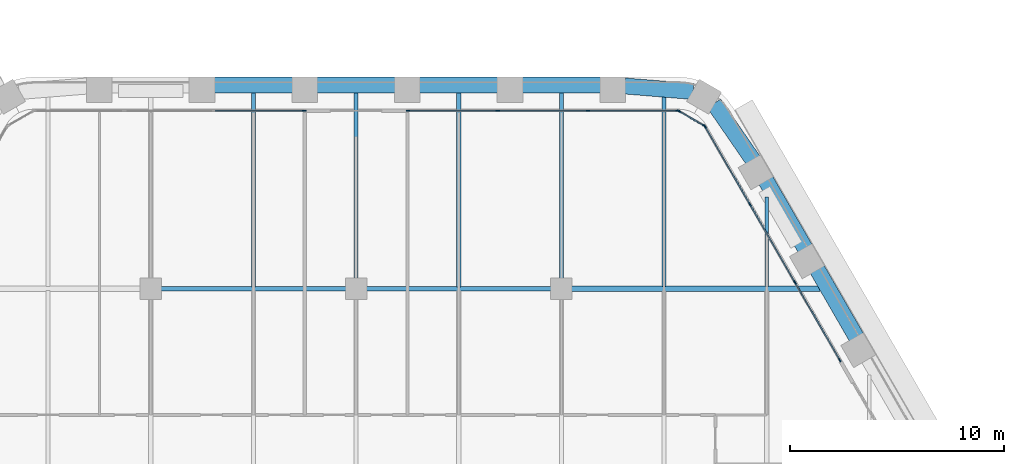
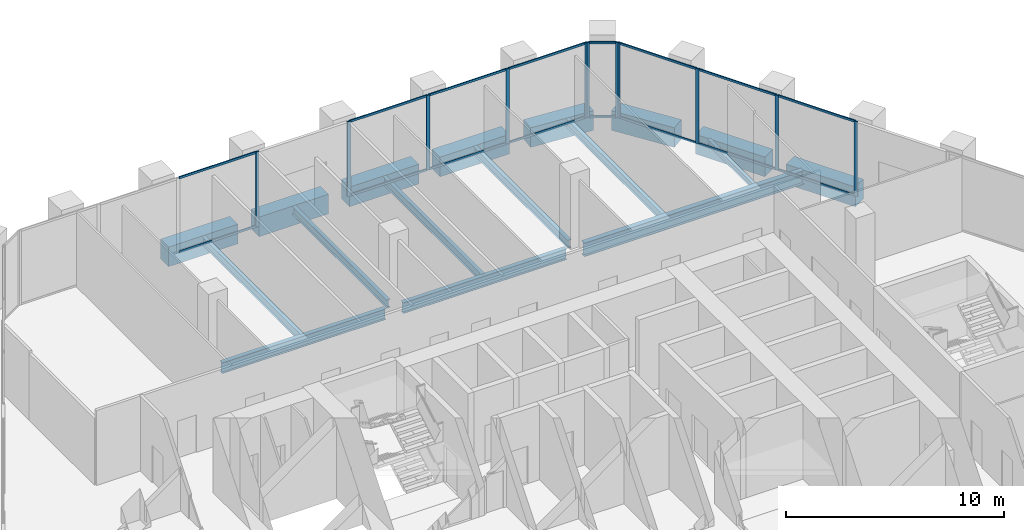
# One storey, part 10 of 27: 27 members, 17 beams, 4 elements without a shape of their own.
"""IFC4 building model written with IfcOpenShell, lengths in metres."""

import ifcopenshell
import ifcopenshell.guid

model = None  # the IFC model being written
_history = None  # IfcOwnerHistory: only IFC2X3 demands one
_inside = {}  # id of a spatial element -> (the spatial element, [elements in it])
_under = {}  # id of a project, library or spatial element -> (it, [spatial elements below it])
_declared = {}  # id of a project -> (the project, [libraries it declares])
_typed = {}  # id of a type object -> (the type object, [elements of that type])
_made_of = {}  # id of a material, layer set ... -> (it, [elements and type objects made of it])


def new_model(schema):
    """Start an empty IFC model of exactly this schema.

    Asked for "IFC4X3", IfcOpenShell would pick the latest addendum, in which some entities
    have other attributes; the version numbers below select the first issue.
    IFC2X3 requires an IfcOwnerHistory on every rooted entity: one is made here for all.
    """
    global model, _history
    if schema == "IFC4X3":
        model = ifcopenshell.file(schema_version=(4, 3, 0, 0))
    else:
        model = ifcopenshell.file(schema=schema)
    _inside.clear()
    _under.clear()
    _declared.clear()
    _typed.clear()
    _made_of.clear()
    _history = None
    if model.schema == "IFC2X3":
        org = make("IfcOrganization", Name="unknown")
        user = make(
            "IfcPersonAndOrganization",
            ThePerson=make("IfcPerson", FamilyName="unknown"),
            TheOrganization=org,
        )
        app = make(
            "IfcApplication",
            ApplicationDeveloper=org,
            Version="unknown",
            ApplicationFullName="unknown",
            ApplicationIdentifier="unknown",
        )
        _history = make(
            "IfcOwnerHistory",
            OwningUser=user,
            OwningApplication=app,
            ChangeAction="ADDED",
            CreationDate=0,
        )
    return model


def make(cls, **values):
    """One entity of the class cls with the attributes given. An attribute that is None is left unset."""
    return model.create_entity(
        cls, **{name: value for name, value in values.items() if value is not None}
    )


def rooted(cls, **values):
    """An entity with a GlobalId (a new one), such as an element, a storey or a relation."""
    return make(cls, GlobalId=ifcopenshell.guid.new(), OwnerHistory=_history, **values)


def si_unit(unit_type, name, prefix=None):
    """IfcSIUnit, for example si_unit("LENGTHUNIT", "METRE", prefix="MILLI")."""
    return make("IfcSIUnit", UnitType=unit_type, Prefix=prefix, Name=name)


def assignment(units):
    """IfcUnitAssignment: the units of a project."""
    return None if units is None else make("IfcUnitAssignment", Units=units)


def point(xyz):
    """IfcCartesianPoint."""
    return None if xyz is None else make("IfcCartesianPoint", Coordinates=xyz)


def direction(xyz):
    """IfcDirection."""
    return None if xyz is None else make("IfcDirection", DirectionRatios=xyz)


def frame(location, z_axis=None, x_axis=None):
    """IfcAxis2Placement3D, a coordinate frame: its origin and axes. An axis left out is left unset."""
    return make(
        "IfcAxis2Placement3D",
        Location=point(location),
        Axis=direction(z_axis),
        RefDirection=direction(x_axis),
    )


def frame_2d(location, x_axis=None):
    """IfcAxis2Placement2D, a coordinate frame in the plane: its origin and x axis."""
    return make(
        "IfcAxis2Placement2D", Location=point(location), RefDirection=direction(x_axis)
    )


def origin():
    """The frame at (0, 0, 0) with its axes left unset."""
    return frame((0.0, 0.0, 0.0))


def origin_2d():
    """The frame at (0, 0) in the plane with its x axis left unset."""
    return frame_2d((0.0, 0.0))


def place(relative_to, where):
    """IfcLocalPlacement: puts the frame where relative to a parent placement (None: the world)."""
    return make(
        "IfcLocalPlacement", PlacementRelTo=relative_to, RelativePlacement=where
    )


def context(
    kind, dimensions, precision=None, world=None, true_north=None, identifier=None
):
    """IfcGeometricRepresentationContext, for example the 3D "Model" context."""
    return make(
        "IfcGeometricRepresentationContext",
        ContextIdentifier=identifier,
        ContextType=kind,
        CoordinateSpaceDimension=dimensions,
        Precision=precision,
        WorldCoordinateSystem=world,
        TrueNorth=true_north,
    )


def subcontext(parent, identifier, kind, view, scale=None):
    """IfcGeometricRepresentationSubContext, for example "Body" below "Model"."""
    return make(
        "IfcGeometricRepresentationSubContext",
        ContextIdentifier=identifier,
        ContextType=kind,
        ParentContext=parent,
        TargetScale=scale,
        TargetView=view,
    )


def project(units=None, contexts=None):
    """IfcProject with its units and contexts."""
    return rooted(
        "IfcProject",
        Name="project",
        RepresentationContexts=contexts,
        UnitsInContext=assignment(units),
    )


def spatial(cls, under=None, at=None, **own):
    """A site, building, storey or space (cls), placed at a placement, below another one or the project."""
    s = rooted(cls, ObjectPlacement=at, **own)
    if under is not None:
        _under.setdefault(under.id(), (under, []))[1].append(s)
    return s


def profile(cls, at=None, kind="AREA", **sizes):
    """A parametric profile (cls). Its sizes go by their IFC names, for example OverallWidth=200.0."""
    return make(cls, ProfileType=kind, Position=at, **sizes)


def rectangle(**sizes):
    """IfcRectangleProfileDef."""
    return profile("IfcRectangleProfileDef", **sizes)


def i_section(**sizes):
    """IfcIShapeProfileDef."""
    return profile("IfcIShapeProfileDef", **sizes)


def extrude(swept, where, along, depth):
    """IfcExtrudedAreaSolid: the profile swept, set in the frame where, extruded along a direction by depth."""
    return make(
        "IfcExtrudedAreaSolid",
        SweptArea=swept,
        Position=where,
        ExtrudedDirection=direction(along),
        Depth=depth,
    )


def shape(context_of_items, identifier, shape_type, items):
    """IfcShapeRepresentation: the items that make up one representation, for example the "Body"."""
    return make(
        "IfcShapeRepresentation",
        ContextOfItems=context_of_items,
        RepresentationIdentifier=identifier,
        RepresentationType=shape_type,
        Items=items,
    )


def material(Name=None, Category=None):
    """IfcMaterial."""
    return make("IfcMaterial", Name=Name, Category=Category)


def material_profile(
    of_material, cross_section, Name=None, Category=None, Priority=None
):
    """IfcMaterialProfile: a cross section and its material."""
    return make(
        "IfcMaterialProfile",
        Name=Name,
        Material=of_material,
        Profile=cross_section,
        Priority=Priority,
        Category=Category,
    )


def profile_set(profiles, Name=None, composite=None):
    """IfcMaterialProfileSet."""
    return make(
        "IfcMaterialProfileSet",
        Name=Name,
        MaterialProfiles=profiles,
        CompositeProfile=composite,
    )


def made_of(thing, what):
    """Note that an element or type object is made of a material, layer set ...; save() writes the relation."""
    if what is not None:
        _made_of.setdefault(what.id(), (what, []))[1].append(thing)
    return thing


def type_object(cls, material=None, **own):
    """A type object (cls), such as IfcWallType, which elements share."""
    return made_of(rooted(cls, **own), material)


def element(
    cls,
    number,
    at=None,
    inside=None,
    cuts=None,
    type_object=None,
    material=None,
    context=None,
    identifier="Body",
    shape_type=None,
    held_by="IfcProductDefinitionShape",
    body=None,
    shapes=None,
    **own,
):
    """One element of the class cls, such as IfcWall. Its Tag is "e" and its number.

    at: its placement. inside: the storey or other place that contains it. cuts: it is an
    opening in that element (IfcRelVoidsElement). A single representation is given by context,
    identifier, shape_type and body (its items); several are given by shapes. held_by: the class
    of the entity that holds the representations. save() writes the other relations.
    """
    e = rooted(cls, Tag="e%d" % number, ObjectPlacement=at, **own)
    if body is not None:
        shapes = [shape(context, identifier, shape_type, body)]
    if shapes is not None:
        e.Representation = make(held_by, Representations=shapes)
    if inside is not None:
        _inside.setdefault(inside.id(), (inside, []))[1].append(e)
    if cuts is not None:
        rooted(
            "IfcRelVoidsElement", RelatingBuildingElement=cuts, RelatedOpeningElement=e
        )
    if type_object is not None:
        _typed.setdefault(type_object.id(), (type_object, []))[1].append(e)
    return made_of(e, material)


def aggregate(whole, parts):
    """IfcRelAggregates: a whole, such as a stair, and the parts it consists of."""
    return rooted("IfcRelAggregates", RelatingObject=whole, RelatedObjects=parts)


def save(model, path):
    """Write the relations noted so far, then the file.

    IfcRelAggregates (storeys below a building ...), IfcRelContainedInSpatialStructure (elements
    in a storey), IfcRelDefinesByType, IfcRelAssociatesMaterial and IfcRelDeclares: one each for
    every whole, place, type object, material and project.
    """
    for whole, parts in _under.values():
        aggregate(whole, parts)
    for where, things in _inside.values():
        rooted(
            "IfcRelContainedInSpatialStructure",
            RelatedElements=things,
            RelatingStructure=where,
        )
    for kind, things in _typed.values():
        rooted("IfcRelDefinesByType", RelatedObjects=things, RelatingType=kind)
    for what, things in _made_of.values():
        rooted("IfcRelAssociatesMaterial", RelatedObjects=things, RelatingMaterial=what)
    for by, libraries in _declared.values():
        rooted("IfcRelDeclares", RelatingContext=by, RelatedDefinitions=libraries)
    model.write(path)


model = new_model("IFC4")

# Units and contexts
model_context = context("Model", 3, precision=1e-05, world=origin(), true_north=direction((0.0, 1.0)))
body_context = subcontext(model_context, "Body", "Model", "MODEL_VIEW")
ifc_project = project(units=[si_unit("LENGTHUNIT", "METRE"), si_unit("AREAUNIT", "SQUARE_METRE"), si_unit("VOLUMEUNIT", "CUBIC_METRE"), si_unit("PLANEANGLEUNIT", "RADIAN"), si_unit("MASSUNIT", "GRAM", prefix="KILO")], contexts=[model_context])

# Site, building, storey
site_placement = place(None, origin())
site = spatial("IfcSite", under=ifc_project, at=site_placement, CompositionType="ELEMENT")
building_placement = place(site_placement, origin())
building = spatial("IfcBuilding", under=site, at=building_placement, Name="Kolab Exchange Tower", CompositionType="ELEMENT")
storey_placement = place(building_placement, frame((0.0, 0.0, 122.89990234375)))
storey = spatial("IfcBuildingStorey", under=building, at=storey_placement, Name="L24", CompositionType="ELEMENT", Elevation=122.89990234375)

# Beams
ifc_material_1 = material(Name="Steel S355", Category="steel")
ifc_material_profile_1 = material_profile(ifc_material_1, i_section(OverallWidth=0.1650390625, OverallDepth=0.31005859375, WebThickness=0.005859375, FlangeThickness=0.009765625, at=origin_2d()), Name="W310X39")
ifc_profile_set_1 = profile_set([ifc_material_profile_1], Name="Steel S355")
beam_type_1 = type_object("IfcBeamType", Name="FLOOR BEAM W310X39", PredefinedType="BEAM", material=ifc_profile_set_1)
beam_1_placement = place(storey_placement, frame((19.199951171875, 19.29345703125, -0.35498046875), z_axis=(0.0, 1.0, 0.0), x_axis=(-1.0, 0.0, 0.0)))
element("IfcBeam", 1, at=beam_1_placement, inside=storey, type_object=beam_type_1, Name="beam/L24/fr/045", PredefinedType="BEAM", context=body_context, shape_type="SweptSolid", body=[
    extrude(i_section(OverallWidth=0.1650390625, OverallDepth=0.31005859375, WebThickness=0.005859375, FlangeThickness=0.009765625, at=origin_2d()), origin(), (0.0, 0.0, 1.0), 4.18798828125),
])
ifc_material_profile_2 = material_profile(ifc_material_1, i_section(OverallWidth=0.18994140625, OverallDepth=0.45703125, WebThickness=0.009033203125, FlangeThickness=0.014404296875, at=origin_2d()), Name="W460X74")
ifc_profile_set_2 = profile_set([ifc_material_profile_2], Name="Steel S355")
beam_type_2 = type_object("IfcBeamType", Name="FLOOR BEAM W460X74", PredefinedType="BEAM", material=ifc_profile_set_2)
beam_2_placement = place(storey_placement, frame((-4.800048828125, 19.27392578125, -0.428466796875), z_axis=(0.0, 1.0, 0.0), x_axis=(-1.0, 0.0, 0.0)))
element("IfcBeam", 2, at=beam_2_placement, inside=storey, type_object=beam_type_2, Name="beam/L24/fr/023", PredefinedType="BEAM", context=body_context, shape_type="SweptSolid", body=[
    extrude(i_section(OverallWidth=0.18994140625, OverallDepth=0.45703125, WebThickness=0.009033203125, FlangeThickness=0.014404296875, at=origin_2d()), origin(), (0.0, 0.0, 1.0), 9.114501953125),
])
beam_3_placement = place(storey_placement, frame((0.0, 19.659912109375, -0.428466796875), z_axis=(0.0, 1.0, 0.0), x_axis=(-1.0, 0.0, 0.0)))
element("IfcBeam", 3, at=beam_3_placement, inside=storey, type_object=beam_type_2, Name="beam/L24/fr/027", PredefinedType="BEAM", context=body_context, shape_type="SweptSolid", body=[
    extrude(i_section(OverallWidth=0.18994140625, OverallDepth=0.45703125, WebThickness=0.009033203125, FlangeThickness=0.014404296875, at=origin_2d()), origin(), (0.0, 0.0, 1.0), 8.728515625),
])
beam_4_placement = place(storey_placement, frame((4.800048828125, 19.27392578125, -0.428466796875), z_axis=(0.0, 1.0, 0.0), x_axis=(-1.0, 0.0, 0.0)))
element("IfcBeam", 4, at=beam_4_placement, inside=storey, type_object=beam_type_2, Name="beam/L24/fr/031", PredefinedType="BEAM", context=body_context, shape_type="SweptSolid", body=[
    extrude(i_section(OverallWidth=0.18994140625, OverallDepth=0.45703125, WebThickness=0.009033203125, FlangeThickness=0.014404296875, at=origin_2d()), origin(), (0.0, 0.0, 1.0), 9.114501953125),
])
beam_5_placement = place(storey_placement, frame((9.60009765625, 19.659912109375, -0.428466796875), z_axis=(0.0, 1.0, 0.0), x_axis=(-1.0, 0.0, 0.0)))
element("IfcBeam", 5, at=beam_5_placement, inside=storey, type_object=beam_type_2, Name="beam/L24/fr/035", PredefinedType="BEAM", context=body_context, shape_type="SweptSolid", body=[
    extrude(i_section(OverallWidth=0.18994140625, OverallDepth=0.45703125, WebThickness=0.009033203125, FlangeThickness=0.014404296875, at=origin_2d()), origin(), (0.0, 0.0, 1.0), 8.728515625),
])
beam_6_placement = place(storey_placement, frame((14.39990234375, 19.29345703125, -0.428466796875), z_axis=(0.0, 1.0, 0.0), x_axis=(-1.0, 0.0, 0.0)))
element("IfcBeam", 6, at=beam_6_placement, inside=storey, type_object=beam_type_2, Name="beam/L24/fr/039", PredefinedType="BEAM", context=body_context, shape_type="SweptSolid", body=[
    extrude(i_section(OverallWidth=0.18994140625, OverallDepth=0.45703125, WebThickness=0.009033203125, FlangeThickness=0.014404296875, at=origin_2d()), origin(), (0.0, 0.0, 1.0), 8.901123046875),
])
ifc_material_profile_3 = material_profile(ifc_material_1, i_section(OverallWidth=0.22802734375, OverallDepth=0.60791015625, WebThickness=0.01123046875, FlangeThickness=0.017333984375, at=origin_2d()), Name="W610X113")
ifc_profile_set_3 = profile_set([ifc_material_profile_3], Name="Steel S355")
beam_type_3 = type_object("IfcBeamType", Name="FLOOR GIRDER W610X113", PredefinedType="BEAM", material=ifc_profile_set_3)
for number, where, z_axis, x_axis, name in (
    (7, (-9.139892578125, 19.199951171875, -0.50390625), (1.0, 0.0, 0.0), (0.0, 1.0, 0.0), "beam/L24/gd/009"),
    (8, (0.4599609375, 19.199951171875, -0.50390625), (1.0, 0.0, 0.0), (0.0, 1.0, 0.0), "beam/L24/gd/011"),
):
    element("IfcBeam", number, at=place(storey_placement, frame(where, z_axis=z_axis, x_axis=x_axis)), inside=storey, type_object=beam_type_3, Name=name, PredefinedType="BEAM", context=body_context, shape_type="SweptSolid", body=[
        extrude(i_section(OverallWidth=0.22802734375, OverallDepth=0.60791015625, WebThickness=0.01123046875, FlangeThickness=0.017333984375, at=origin_2d()), origin(), (0.0, 0.0, 1.0), 8.679931640625),
    ])
ifc_material_profile_4 = material_profile(ifc_material_1, i_section(OverallWidth=0.26708984375, OverallDepth=0.761962890625, WebThickness=0.014404296875, FlangeThickness=0.021484375, at=origin_2d()), Name="W760X173")
ifc_profile_set_4 = profile_set([ifc_material_profile_4], Name="Steel S355")
beam_type_4 = type_object("IfcBeamType", Name="FLOOR GIRDER W760X173", PredefinedType="BEAM", material=ifc_profile_set_4)
beam_7_placement = place(storey_placement, frame((10.06005859375, 19.199951171875, -0.580810546875), z_axis=(1.0, 0.0, 0.0), x_axis=(0.0, 1.0, 0.0)))
element("IfcBeam", 9, at=beam_7_placement, inside=storey, type_object=beam_type_4, Name="beam/L24/gd/013", PredefinedType="BEAM", context=body_context, shape_type="SweptSolid", body=[
    extrude(i_section(OverallWidth=0.26708984375, OverallDepth=0.761962890625, WebThickness=0.014404296875, FlangeThickness=0.021484375, at=origin_2d()), origin(), (0.0, 0.0, 1.0), 11.628662109375),
])
ifc_material_2 = material(Name="Concrete C70/85", Category="concrete")
ifc_material_profile_5 = material_profile(ifc_material_2, rectangle(XDim=0.75, YDim=1.10009765625, at=origin_2d()), Name="RC750X1100")
ifc_profile_set_5 = profile_set([ifc_material_profile_5], Name="Concrete C70/85")
beam_type_5 = type_object("IfcBeamType", Name="SPANDREL BEAM 750X1100 C70/85", PredefinedType="BEAM", material=ifc_profile_set_5)
beam_8_placement = place(storey_placement, frame((-6.639892578125, 28.723388671875, -0.75), z_axis=(1.0, 0.0, 0.0), x_axis=(0.0, 1.0, 0.0)))
element("IfcBeam", 10, at=beam_8_placement, inside=storey, type_object=beam_type_5, Name="beam/L24/sp/F1-03", PredefinedType="BEAM", context=body_context, shape_type="SweptSolid", body=[
    extrude(rectangle(XDim=0.75, YDim=1.10009765625, at=origin_2d()), origin(), (0.0, 0.0, 1.0), 3.679931640625),
])
beam_9_placement = place(storey_placement, frame((-1.840087890625, 28.723388671875, -0.75), z_axis=(1.0, 0.0, 0.0), x_axis=(0.0, 1.0, 0.0)))
element("IfcBeam", 11, at=beam_9_placement, inside=storey, type_object=beam_type_5, Name="beam/L24/sp/F1-04", PredefinedType="BEAM", context=body_context, shape_type="SweptSolid", body=[
    extrude(rectangle(XDim=0.75, YDim=1.10009765625, at=origin_2d()), origin(), (0.0, 0.0, 1.0), 3.68017578125),
])
for number, where, z_axis, x_axis, name in (
    (12, (2.9599609375, 28.723388671875, -0.75), (1.0, 0.0, 0.0), (0.0, 1.0, 0.0), "beam/L24/sp/F1-05"),
    (13, (7.760009765625, 28.723388671875, -0.75), (1.0, 0.0, 0.0), (0.0, 1.0, 0.0), "beam/L24/sp/F1-06"),
):
    element("IfcBeam", number, at=place(storey_placement, frame(where, z_axis=z_axis, x_axis=x_axis)), inside=storey, type_object=beam_type_5, Name=name, PredefinedType="BEAM", context=body_context, shape_type="SweptSolid", body=[
        extrude(rectangle(XDim=0.75, YDim=1.10009765625, at=origin_2d()), origin(), (0.0, 0.0, 1.0), 3.679931640625),
    ])
for number, where, z_axis, x_axis, name in (
    (14, (12.56005859375, 28.678466796875, -0.75), (0.996791038408, -0.080047646748, 0.0), (0.080047646748, 0.996791038408, 0.0), "beam/L24/sp/F1-07"),
    (15, (16.73486328125, 27.85791015625, -0.75), (0.567661826262, -0.823261836237, 0.0), (0.823261836237, 0.567661826262, 0.0), "beam/L24/sp/F2-01"),
):
    element("IfcBeam", number, at=place(storey_placement, frame(where, z_axis=z_axis, x_axis=x_axis)), inside=storey, type_object=beam_type_5, Name=name, PredefinedType="BEAM", context=body_context, shape_type="SweptSolid", body=[
        extrude(rectangle(XDim=0.75, YDim=1.10009765625, at=origin_2d()), origin(), (0.0, 0.0, 1.0), 3.20849609375),
    ])
for number, where, z_axis, x_axis, name in (
    (16, (19.1552734375, 24.26904296875, -0.75), (0.500013413428, -0.866017659399, 0.0), (0.866017659399, 0.500013413428, 0.0), "beam/L24/sp/F2-02"),
    (17, (21.55517578125, 20.112060546875, -0.75), (0.500013413428, -0.866017659399, 0.0), (0.866017659399, 0.500013413428, 0.0), "beam/L24/sp/F2-03"),
):
    element("IfcBeam", number, at=place(storey_placement, frame(where, z_axis=z_axis, x_axis=x_axis)), inside=storey, type_object=beam_type_5, Name=name, PredefinedType="BEAM", context=body_context, shape_type="SweptSolid", body=[
        extrude(rectangle(XDim=0.75, YDim=1.10009765625, at=origin_2d()), origin(), (0.0, 0.0, 1.0), 3.68017578125),
    ])

# Curtain wall, member
ifc_material_3 = material(Name="Aluminium EN AW-6063 T6", Category="aluminium")
curtain_wall_type = type_object("IfcCurtainWallType", Name="UNITISED LOWER MID ZONE CURTAIN WALL", PredefinedType="NOTDEFINED", material=ifc_material_3)
curtain_wall_1_placement = place(storey_placement, origin())
curtain_wall_1 = element("IfcCurtainWall", 18, at=curtain_wall_1_placement, inside=storey, type_object=curtain_wall_type, Name="cw/L24/F1-1", PredefinedType="NOTDEFINED")
ifc_material_profile_6 = material_profile(ifc_material_3, rectangle(XDim=0.06005859375, YDim=0.179931640625, at=origin_2d()), Name="RECT 60X180")
ifc_profile_set_6 = profile_set([ifc_material_profile_6], Name="Aluminium EN AW-6063 T6")
member_type_1 = type_object("IfcMemberType", Name="UNITISED LOWER MID ZONE MULLION 60 X 180", PredefinedType="MULLION", material=ifc_profile_set_6)
member_1_placement = place(storey_placement, frame((-2.429931640625, 27.5185546875, 0.0), z_axis=(0.0, 0.0, 1.0), x_axis=(0.0, 1.0, 0.0)))
member_1 = element("IfcMember", 19, at=member_1_placement, type_object=member_type_1, Name="CW2 mullion 4", PredefinedType="MULLION", context=body_context, shape_type="SweptSolid", body=[
    extrude(rectangle(XDim=0.06005859375, YDim=0.179931640625, at=origin_2d()), origin(), (0.0, 0.0, 1.0), 4.2001953125),
])

# Curtain wall, members
curtain_wall_2_placement = place(storey_placement, origin())
curtain_wall_2 = element("IfcCurtainWall", 20, at=curtain_wall_2_placement, inside=storey, type_object=curtain_wall_type, Name="cw/L24/F1-2", PredefinedType="NOTDEFINED")
member_2_placement = place(storey_placement, frame((2.429931640625, 27.5185546875, 0.0), z_axis=(0.0, 0.0, 1.0), x_axis=(0.0, 1.0, 0.0)))
member_2 = element("IfcMember", 21, at=member_2_placement, type_object=member_type_1, Name="CW2 mullion 1", PredefinedType="MULLION", context=body_context, shape_type="SweptSolid", body=[
    extrude(rectangle(XDim=0.06005859375, YDim=0.179931640625, at=origin_2d()), origin(), (0.0, 0.0, 1.0), 4.2001953125),
])
member_3_placement = place(storey_placement, frame((6.62255859375, 27.5185546875, 0.0), z_axis=(0.0, 0.0, 1.0), x_axis=(0.0, 1.0, 0.0)))
member_3 = element("IfcMember", 22, at=member_3_placement, type_object=member_type_1, Name="CW2 mullion 2", PredefinedType="MULLION", context=body_context, shape_type="SweptSolid", body=[
    extrude(rectangle(XDim=0.06005859375, YDim=0.179931640625, at=origin_2d()), origin(), (0.0, 0.0, 1.0), 4.2001953125),
])
member_4_placement = place(storey_placement, frame((10.84521484375, 27.5185546875, 0.0), z_axis=(0.0, 0.0, 1.0), x_axis=(0.0, 1.0, 0.0)))
member_4 = element("IfcMember", 23, at=member_4_placement, type_object=member_type_1, Name="CW2 mullion 3", PredefinedType="MULLION", context=body_context, shape_type="SweptSolid", body=[
    extrude(rectangle(XDim=0.06005859375, YDim=0.179931640625, at=origin_2d()), origin(), (0.0, 0.0, 1.0), 4.2001953125),
])
member_5_placement = place(storey_placement, frame((15.037841796875, 27.5185546875, 0.0), z_axis=(0.0, 0.0, 1.0), x_axis=(0.0, 1.0, 0.0)))
member_5 = element("IfcMember", 24, at=member_5_placement, type_object=member_type_1, Name="CW2 mullion 4", PredefinedType="MULLION", context=body_context, shape_type="SweptSolid", body=[
    extrude(rectangle(XDim=0.06005859375, YDim=0.179931640625, at=origin_2d()), origin(), (0.0, 0.0, 1.0), 4.2001953125),
])

curtain_wall_3_placement = place(storey_placement, origin())
curtain_wall_3 = element("IfcCurtainWall", 25, at=curtain_wall_3_placement, inside=storey, type_object=curtain_wall_type, Name="cw/L24/F2-1", PredefinedType="NOTDEFINED")
member_6_placement = place(storey_placement, frame((16.312744140625, 26.782470703125, 0.0), z_axis=(0.0, 0.0, 1.0), x_axis=(0.866025393644, 0.500000017564, 0.0)))
member_6 = element("IfcMember", 26, at=member_6_placement, type_object=member_type_1, Name="CW2 mullion 1", PredefinedType="MULLION", context=body_context, shape_type="SweptSolid", body=[
    extrude(rectangle(XDim=0.06005859375, YDim=0.179931640625, at=origin_2d()), origin(), (0.0, 0.0, 1.0), 4.2001953125),
])
member_7_placement = place(storey_placement, frame((18.408935546875, 23.151611328125, 0.0), z_axis=(0.0, 0.0, 1.0), x_axis=(0.866025393644, 0.500000017564, 0.0)))
member_7 = element("IfcMember", 27, at=member_7_placement, type_object=member_type_1, Name="CW2 mullion 2", PredefinedType="MULLION", context=body_context, shape_type="SweptSolid", body=[
    extrude(rectangle(XDim=0.06005859375, YDim=0.179931640625, at=origin_2d()), origin(), (0.0, 0.0, 1.0), 4.2001953125),
])
member_8_placement = place(storey_placement, frame((20.520263671875, 19.49462890625, 0.0), z_axis=(0.0, 0.0, 1.0), x_axis=(0.866025393644, 0.500000017564, 0.0)))
member_8 = element("IfcMember", 28, at=member_8_placement, type_object=member_type_1, Name="CW2 mullion 3", PredefinedType="MULLION", context=body_context, shape_type="SweptSolid", body=[
    extrude(rectangle(XDim=0.06005859375, YDim=0.179931640625, at=origin_2d()), origin(), (0.0, 0.0, 1.0), 4.2001953125),
])
member_9_placement = place(storey_placement, frame((22.61669921875, 15.86376953125, 0.0), z_axis=(0.0, 0.0, 1.0), x_axis=(0.866025393644, 0.500000017564, 0.0)))
member_9 = element("IfcMember", 29, at=member_9_placement, type_object=member_type_1, Name="CW2 mullion 4", PredefinedType="MULLION", context=body_context, shape_type="SweptSolid", body=[
    extrude(rectangle(XDim=0.06005859375, YDim=0.179931640625, at=origin_2d()), origin(), (0.0, 0.0, 1.0), 4.2001953125),
])

curtain_wall_4_placement = place(storey_placement, origin())
curtain_wall_4 = element("IfcCurtainWall", 30, at=curtain_wall_4_placement, inside=storey, type_object=curtain_wall_type, Name="cw/L24/F1F2-corner", PredefinedType="NOTDEFINED")
member_10_placement = place(storey_placement, frame((15.093994140625, 27.50341796875, 0.0), z_axis=(0.0, 0.0, 1.0), x_axis=(0.50000002237, 0.866025390869, 0.0)))
member_10 = element("IfcMember", 31, at=member_10_placement, type_object=member_type_1, Name="CW2 mullion 1", PredefinedType="MULLION", context=body_context, shape_type="SweptSolid", body=[
    extrude(rectangle(XDim=0.06005859375, YDim=0.179931640625, at=origin_2d()), origin(), (0.0, 0.0, 1.0), 4.2001953125),
])
member_11_placement = place(storey_placement, frame((16.271728515625, 26.823486328125, 0.0), z_axis=(0.0, 0.0, 1.0), x_axis=(0.50000002237, 0.866025390869, 0.0)))
member_11 = element("IfcMember", 32, at=member_11_placement, type_object=member_type_1, Name="CW2 mullion 2", PredefinedType="MULLION", context=body_context, shape_type="SweptSolid", body=[
    extrude(rectangle(XDim=0.06005859375, YDim=0.179931640625, at=origin_2d()), origin(), (0.0, 0.0, 1.0), 4.2001953125),
])

# Member
ifc_material_profile_7 = material_profile(ifc_material_3, rectangle(XDim=0.06005859375, YDim=0.1201171875, at=origin_2d()), Name="RECT 60X120")
ifc_profile_set_7 = profile_set([ifc_material_profile_7], Name="Aluminium EN AW-6063 T6")
member_type_2 = type_object("IfcMemberType", Name="UNITISED LOWER MID ZONE TRANSOM 60 X 120", PredefinedType="USERDEFINED", material=ifc_profile_set_7)
member_12_placement = place(storey_placement, frame((-6.592529296875, 27.5185546875, 0.030029296875), z_axis=(1.0, 0.0, 0.0), x_axis=(0.0, 1.0, 0.0)))
member_12 = element("IfcMember", 33, at=member_12_placement, type_object=member_type_2, Name="CW2 transom 3.1", ObjectType="TRANSOM", PredefinedType="USERDEFINED", context=body_context, shape_type="SweptSolid", body=[
    extrude(rectangle(XDim=0.06005859375, YDim=0.1201171875, at=origin_2d()), origin(), (0.0, 0.0, 1.0), 4.132568359375),
])

member_13_placement = place(storey_placement, frame((-6.592529296875, 27.5185546875, 4.170166015625), z_axis=(1.0, 0.0, 0.0), x_axis=(0.0, 1.0, 0.0)))
member_13 = element("IfcMember", 34, at=member_13_placement, type_object=member_type_2, Name="CW2 transom 3.2", ObjectType="TRANSOM", PredefinedType="USERDEFINED", context=body_context, shape_type="SweptSolid", body=[
    extrude(rectangle(XDim=0.06005859375, YDim=0.1201171875, at=origin_2d()), origin(), (0.0, 0.0, 1.0), 4.132568359375),
])

aggregate(curtain_wall_1, [member_1, member_12, member_13])

member_14_placement = place(storey_placement, frame((2.4599609375, 27.5185546875, 0.030029296875), z_axis=(1.0, 0.0, 0.0), x_axis=(0.0, 1.0, 0.0)))
member_14 = element("IfcMember", 35, at=member_14_placement, type_object=member_type_2, Name="CW2 transom 1.1", ObjectType="TRANSOM", PredefinedType="USERDEFINED", context=body_context, shape_type="SweptSolid", body=[
    extrude(rectangle(XDim=0.06005859375, YDim=0.1201171875, at=origin_2d()), origin(), (0.0, 0.0, 1.0), 4.132568359375),
])

member_15_placement = place(storey_placement, frame((2.4599609375, 27.5185546875, 4.170166015625), z_axis=(1.0, 0.0, 0.0), x_axis=(0.0, 1.0, 0.0)))
member_15 = element("IfcMember", 36, at=member_15_placement, type_object=member_type_2, Name="CW2 transom 1.2", ObjectType="TRANSOM", PredefinedType="USERDEFINED", context=body_context, shape_type="SweptSolid", body=[
    extrude(rectangle(XDim=0.06005859375, YDim=0.1201171875, at=origin_2d()), origin(), (0.0, 0.0, 1.0), 4.132568359375),
])

member_16_placement = place(storey_placement, frame((6.652587890625, 27.5185546875, 0.030029296875), z_axis=(1.0, 0.0, 0.0), x_axis=(0.0, 1.0, 0.0)))
member_16 = element("IfcMember", 37, at=member_16_placement, type_object=member_type_2, Name="CW2 transom 2.1", ObjectType="TRANSOM", PredefinedType="USERDEFINED", context=body_context, shape_type="SweptSolid", body=[
    extrude(rectangle(XDim=0.06005859375, YDim=0.1201171875, at=origin_2d()), origin(), (0.0, 0.0, 1.0), 4.16259765625),
])

member_17_placement = place(storey_placement, frame((6.652587890625, 27.5185546875, 4.170166015625), z_axis=(1.0, 0.0, 0.0), x_axis=(0.0, 1.0, 0.0)))
member_17 = element("IfcMember", 38, at=member_17_placement, type_object=member_type_2, Name="CW2 transom 2.2", ObjectType="TRANSOM", PredefinedType="USERDEFINED", context=body_context, shape_type="SweptSolid", body=[
    extrude(rectangle(XDim=0.06005859375, YDim=0.1201171875, at=origin_2d()), origin(), (0.0, 0.0, 1.0), 4.16259765625),
])

member_18_placement = place(storey_placement, frame((10.875244140625, 27.5185546875, 0.030029296875), z_axis=(1.0, 0.0, 0.0), x_axis=(0.0, 1.0, 0.0)))
member_18 = element("IfcMember", 39, at=member_18_placement, type_object=member_type_2, Name="CW2 transom 3.1", ObjectType="TRANSOM", PredefinedType="USERDEFINED", context=body_context, shape_type="SweptSolid", body=[
    extrude(rectangle(XDim=0.06005859375, YDim=0.1201171875, at=origin_2d()), origin(), (0.0, 0.0, 1.0), 4.1328125),
])

member_19_placement = place(storey_placement, frame((10.875244140625, 27.5185546875, 4.170166015625), z_axis=(1.0, 0.0, 0.0), x_axis=(0.0, 1.0, 0.0)))
member_19 = element("IfcMember", 40, at=member_19_placement, type_object=member_type_2, Name="CW2 transom 3.2", ObjectType="TRANSOM", PredefinedType="USERDEFINED", context=body_context, shape_type="SweptSolid", body=[
    extrude(rectangle(XDim=0.06005859375, YDim=0.1201171875, at=origin_2d()), origin(), (0.0, 0.0, 1.0), 4.1328125),
])

aggregate(curtain_wall_2, [member_2, member_3, member_4, member_5, member_14, member_15, member_16, member_17, member_18, member_19])

member_20_placement = place(storey_placement, frame((16.32763671875, 26.756591796875, 0.030029296875), z_axis=(0.500001996123, -0.866024251319, 0.0), x_axis=(0.866024251319, 0.500001996123, 0.0)))
member_20 = element("IfcMember", 41, at=member_20_placement, type_object=member_type_2, Name="CW2 transom 1.1", ObjectType="TRANSOM", PredefinedType="USERDEFINED", context=body_context, shape_type="SweptSolid", body=[
    extrude(rectangle(XDim=0.06005859375, YDim=0.1201171875, at=origin_2d()), origin(), (0.0, 0.0, 1.0), 4.1328125),
])

member_21_placement = place(storey_placement, frame((16.32763671875, 26.756591796875, 4.170166015625), z_axis=(0.500001996123, -0.866024251319, 0.0), x_axis=(0.866024251319, 0.500001996123, 0.0)))
member_21 = element("IfcMember", 42, at=member_21_placement, type_object=member_type_2, Name="CW2 transom 1.2", ObjectType="TRANSOM", PredefinedType="USERDEFINED", context=body_context, shape_type="SweptSolid", body=[
    extrude(rectangle(XDim=0.06005859375, YDim=0.1201171875, at=origin_2d()), origin(), (0.0, 0.0, 1.0), 4.1328125),
])

member_22_placement = place(storey_placement, frame((18.424072265625, 23.12548828125, 0.030029296875), z_axis=(0.49999322259, -0.866029316688, 0.0), x_axis=(0.866029316688, 0.49999322259, 0.0)))
member_22 = element("IfcMember", 43, at=member_22_placement, type_object=member_type_2, Name="CW2 transom 2.1", ObjectType="TRANSOM", PredefinedType="USERDEFINED", context=body_context, shape_type="SweptSolid", body=[
    extrude(rectangle(XDim=0.06005859375, YDim=0.1201171875, at=origin_2d()), origin(), (0.0, 0.0, 1.0), 4.16259765625),
])

member_23_placement = place(storey_placement, frame((18.424072265625, 23.12548828125, 4.170166015625), z_axis=(0.49999322259, -0.866029316688, 0.0), x_axis=(0.866029316688, 0.49999322259, 0.0)))
member_23 = element("IfcMember", 44, at=member_23_placement, type_object=member_type_2, Name="CW2 transom 2.2", ObjectType="TRANSOM", PredefinedType="USERDEFINED", context=body_context, shape_type="SweptSolid", body=[
    extrude(rectangle(XDim=0.06005859375, YDim=0.1201171875, at=origin_2d()), origin(), (0.0, 0.0, 1.0), 4.16259765625),
])

member_24_placement = place(storey_placement, frame((20.535400390625, 19.46875, 0.030029296875), z_axis=(0.499957688808, -0.866049830784, 0.0), x_axis=(0.866049830784, 0.499957688808, 0.0)))
member_24 = element("IfcMember", 45, at=member_24_placement, type_object=member_type_2, Name="CW2 transom 3.1", ObjectType="TRANSOM", PredefinedType="USERDEFINED", context=body_context, shape_type="SweptSolid", body=[
    extrude(rectangle(XDim=0.06005859375, YDim=0.1201171875, at=origin_2d()), origin(), (0.0, 0.0, 1.0), 4.132568359375),
])

member_25_placement = place(storey_placement, frame((20.535400390625, 19.46875, 4.170166015625), z_axis=(0.499957688808, -0.866049830784, 0.0), x_axis=(0.866049830784, 0.499957688808, 0.0)))
member_25 = element("IfcMember", 46, at=member_25_placement, type_object=member_type_2, Name="CW2 transom 3.2", ObjectType="TRANSOM", PredefinedType="USERDEFINED", context=body_context, shape_type="SweptSolid", body=[
    extrude(rectangle(XDim=0.06005859375, YDim=0.1201171875, at=origin_2d()), origin(), (0.0, 0.0, 1.0), 4.132568359375),
])

aggregate(curtain_wall_3, [member_6, member_7, member_8, member_9, member_20, member_21, member_22, member_23, member_24, member_25])

member_26_placement = place(storey_placement, frame((15.119873046875, 27.488525390625, 0.030029296875), z_axis=(0.866004217611, -0.500036693733, 0.0), x_axis=(0.500036693733, 0.866004217611, 0.0)))
member_26 = element("IfcMember", 47, at=member_26_placement, type_object=member_type_2, Name="CW2 transom 1.1", ObjectType="TRANSOM", PredefinedType="USERDEFINED", context=body_context, shape_type="SweptSolid", body=[
    extrude(rectangle(XDim=0.06005859375, YDim=0.1201171875, at=origin_2d()), origin(), (0.0, 0.0, 1.0), 1.30029296875),
])

member_27_placement = place(storey_placement, frame((15.119873046875, 27.488525390625, 4.170166015625), z_axis=(0.866004217611, -0.500036693733, 0.0), x_axis=(0.500036693733, 0.866004217611, 0.0)))
member_27 = element("IfcMember", 48, at=member_27_placement, type_object=member_type_2, Name="CW2 transom 1.2", ObjectType="TRANSOM", PredefinedType="USERDEFINED", context=body_context, shape_type="SweptSolid", body=[
    extrude(rectangle(XDim=0.06005859375, YDim=0.1201171875, at=origin_2d()), origin(), (0.0, 0.0, 1.0), 1.30029296875),
])

aggregate(curtain_wall_4, [member_10, member_11, member_26, member_27])

save(model, "model.ifc")
